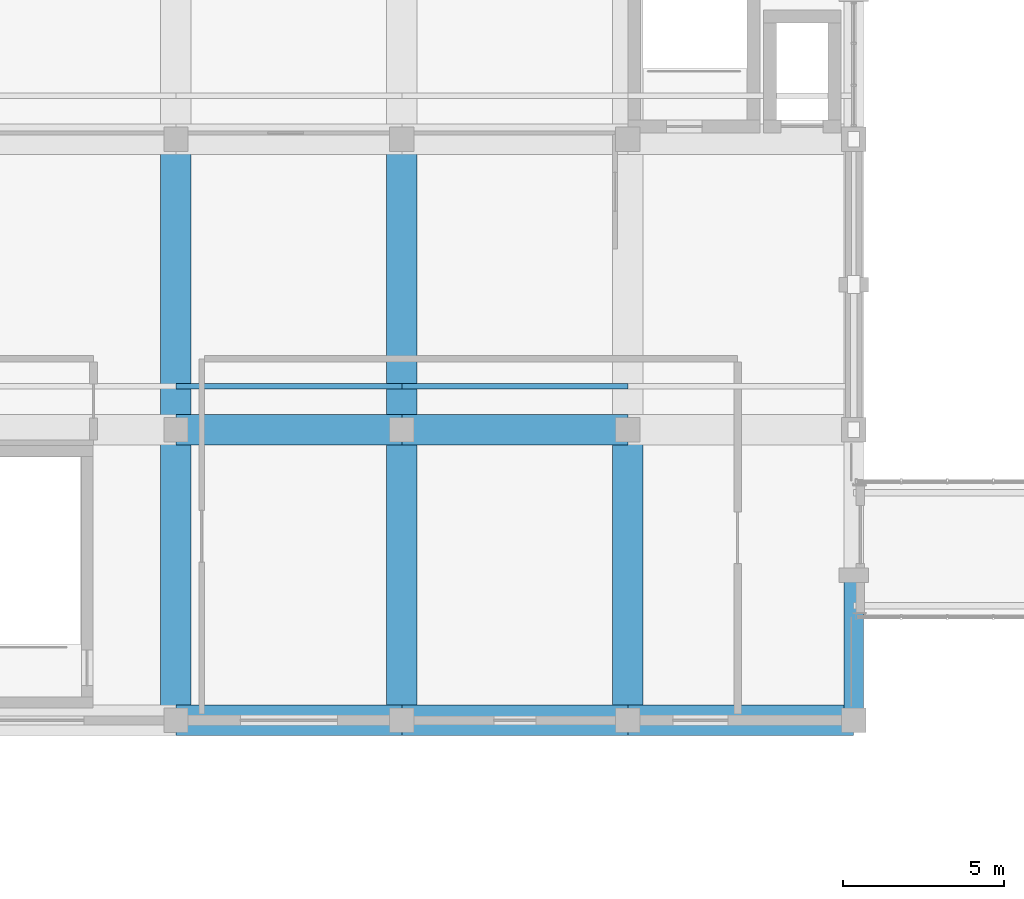
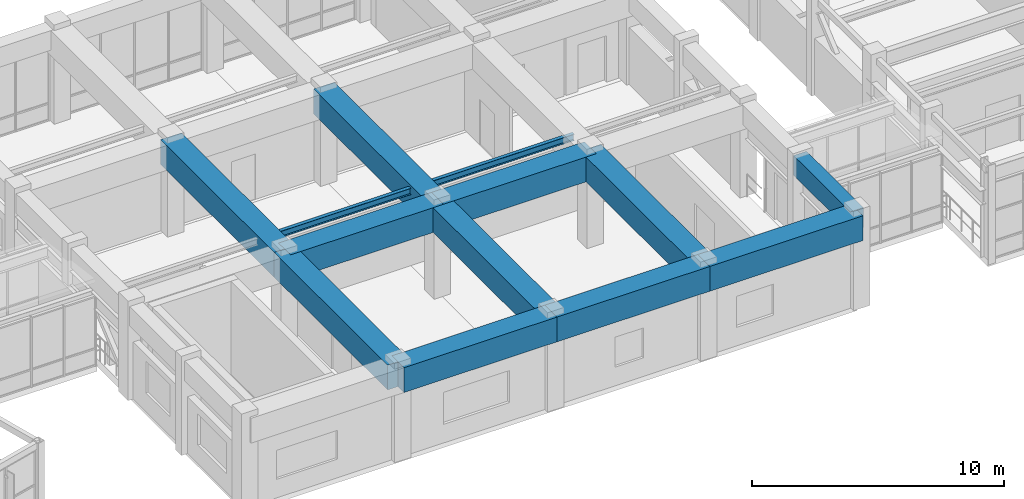
# One storey, part 52 of 99: 11 beams, 2 members.
"""IFC4 building model written with IfcOpenShell, lengths in metres."""

from ifc_helpers import new_model, si_unit, direction, frame, origin, origin_2d, place, context, subcontext, project, spatial, rectangle, i_section, extrude, material, material_profile, profile_set, type_object, element, save


model = new_model("IFC4")

# Units and contexts
model_context = context("Model", 3, precision=1e-05, world=origin(), true_north=direction((0.0, 1.0)))
body_context = subcontext(model_context, "Body", "Model", "MODEL_VIEW")
ifc_project = project(units=[si_unit("LENGTHUNIT", "METRE"), si_unit("AREAUNIT", "SQUARE_METRE"), si_unit("VOLUMEUNIT", "CUBIC_METRE"), si_unit("PLANEANGLEUNIT", "RADIAN"), si_unit("MASSUNIT", "GRAM", prefix="KILO")], contexts=[model_context])

# Site, building, storey
site_placement = place(None, origin())
site = spatial("IfcSite", under=ifc_project, at=site_placement, CompositionType="ELEMENT")
building_placement = place(site_placement, origin())
building = spatial("IfcBuilding", under=site, at=building_placement, Name="Ventoquebrada Cableway Terminal", CompositionType="ELEMENT")
storey_placement = place(building_placement, frame((0.0, 0.0, 9.60009765625)))
storey = spatial("IfcBuildingStorey", under=building, at=storey_placement, Name="L02", CompositionType="ELEMENT", Elevation=9.60009765625)

# Beams
ifc_material_1 = material(Name="Concrete C40/50", Category="concrete")
ifc_material_profile_1 = material_profile(ifc_material_1, rectangle(XDim=0.60009765625, YDim=0.949951171875, at=origin_2d()), Name="RC-BM-600X950")
ifc_profile_set_1 = profile_set([ifc_material_profile_1], Name="Concrete C40/50")
beam_type_1 = type_object("IfcBeamType", Name="BM-RC05", PredefinedType="BEAM", material=ifc_profile_set_1)
beam_placement = place(storey_placement, frame((123.0, 77.0, 4.054931640625), z_axis=(0.0, 1.0, 0.0), x_axis=(-1.0, 0.0, 0.0)))
element("IfcBeam", 1, at=beam_placement, inside=storey, type_object=beam_type_1, Name="Perimeter spandrel beam FBM-0695", PredefinedType="BEAM", context=body_context, shape_type="SweptSolid", body=[
    extrude(rectangle(XDim=0.60009765625, YDim=0.949951171875, at=origin_2d()), origin(), (0.0, 0.0, 1.0), 4.5),
])
ifc_material_profile_2 = material_profile(ifc_material_1, rectangle(XDim=0.949951171875, YDim=1.199951171875, at=origin_2d()), Name="RC-BM-950X1200")
ifc_profile_set_2 = profile_set([ifc_material_profile_2], Name="Concrete C40/50")
beam_type_2 = type_object("IfcBeamType", Name="BM-RC06", PredefinedType="BEAM", material=ifc_profile_set_2)
for number, where, z_axis, x_axis, name in (
    (2, (102.0, 77.0, 3.929931640625), (1.0, 0.0, 0.0), (0.0, 1.0, 0.0), "Primary frame girder FBM-0665"),
    (3, (109.0, 77.0, 3.929931640625), (1.0, 0.0, 0.0), (0.0, 1.0, 0.0), "Primary frame girder FBM-0666"),
    (4, (116.0, 77.0, 3.929931640625), (1.0, 0.0, 0.0), (0.0, 1.0, 0.0), "Primary frame girder FBM-0667"),
    (5, (102.0, 86.0, 3.929931640625), (1.0, 0.0, 0.0), (0.0, 1.0, 0.0), "Primary frame girder FBM-0669"),
    (6, (109.0, 86.0, 3.929931640625), (1.0, 0.0, 0.0), (0.0, 1.0, 0.0), "Primary frame girder FBM-0670"),
):
    element("IfcBeam", number, at=place(storey_placement, frame(where, z_axis=z_axis, x_axis=x_axis)), inside=storey, type_object=beam_type_2, Name=name, PredefinedType="BEAM", context=body_context, shape_type="SweptSolid", body=[
        extrude(rectangle(XDim=0.949951171875, YDim=1.199951171875, at=origin_2d()), origin(), (0.0, 0.0, 1.0), 7.0),
    ])
for number, where, z_axis, x_axis, name in (
    (7, (102.0, 77.0, 3.929931640625), (0.0, 1.0, 0.0), (-1.0, 0.0, 0.0), "Primary frame girder FBM-0686"),
    (8, (102.0, 86.0, 3.929931640625), (0.0, 1.0, 0.0), (-1.0, 0.0, 0.0), "Primary frame girder FBM-0687"),
    (9, (109.0, 77.0, 3.929931640625), (0.0, 1.0, 0.0), (-1.0, 0.0, 0.0), "Primary frame girder FBM-0689"),
    (10, (109.0, 86.0, 3.929931640625), (0.0, 1.0, 0.0), (-1.0, 0.0, 0.0), "Primary frame girder FBM-0690"),
    (11, (116.0, 77.0, 3.929931640625), (0.0, 1.0, 0.0), (-1.0, 0.0, 0.0), "Primary frame girder FBM-0692"),
):
    element("IfcBeam", number, at=place(storey_placement, frame(where, z_axis=z_axis, x_axis=x_axis)), inside=storey, type_object=beam_type_2, Name=name, PredefinedType="BEAM", context=body_context, shape_type="SweptSolid", body=[
        extrude(rectangle(XDim=0.949951171875, YDim=1.199951171875, at=origin_2d()), origin(), (0.0, 0.0, 1.0), 9.0),
    ])

# Members
ifc_material_2 = material(Name="Steel ASTM A992 Grade 50", Category="steel")
ifc_material_profile_3 = material_profile(ifc_material_2, i_section(OverallWidth=0.1650390625, OverallDepth=0.31005859375, WebThickness=0.005859375, FlangeThickness=0.009765625, at=origin_2d()), Name="W12X26")
ifc_profile_set_3 = profile_set([ifc_material_profile_3], Name="Steel ASTM A992 Grade 50")
member_type = type_object("IfcMemberType", Name="PUR-RF05", PredefinedType="PURLIN", material=ifc_profile_set_3)
for number, where, z_axis, x_axis, name in (
    (12, (102.0, 87.35009765625, 4.260009765625), (1.0, 0.0, 0.0), (0.0, 1.0, 0.0), "Roof support purlin RPR-0496"),
    (13, (109.0, 87.35009765625, 4.260009765625), (1.0, 0.0, 0.0), (0.0, 1.0, 0.0), "Roof support purlin RPR-0499"),
):
    element("IfcMember", number, at=place(storey_placement, frame(where, z_axis=z_axis, x_axis=x_axis)), inside=storey, type_object=member_type, Name=name, PredefinedType="PURLIN", context=body_context, shape_type="SweptSolid", body=[
        extrude(i_section(OverallWidth=0.1650390625, OverallDepth=0.31005859375, WebThickness=0.005859375, FlangeThickness=0.009765625, at=origin_2d()), origin(), (0.0, 0.0, 1.0), 7.0),
    ])

save(model, "model.ifc")
